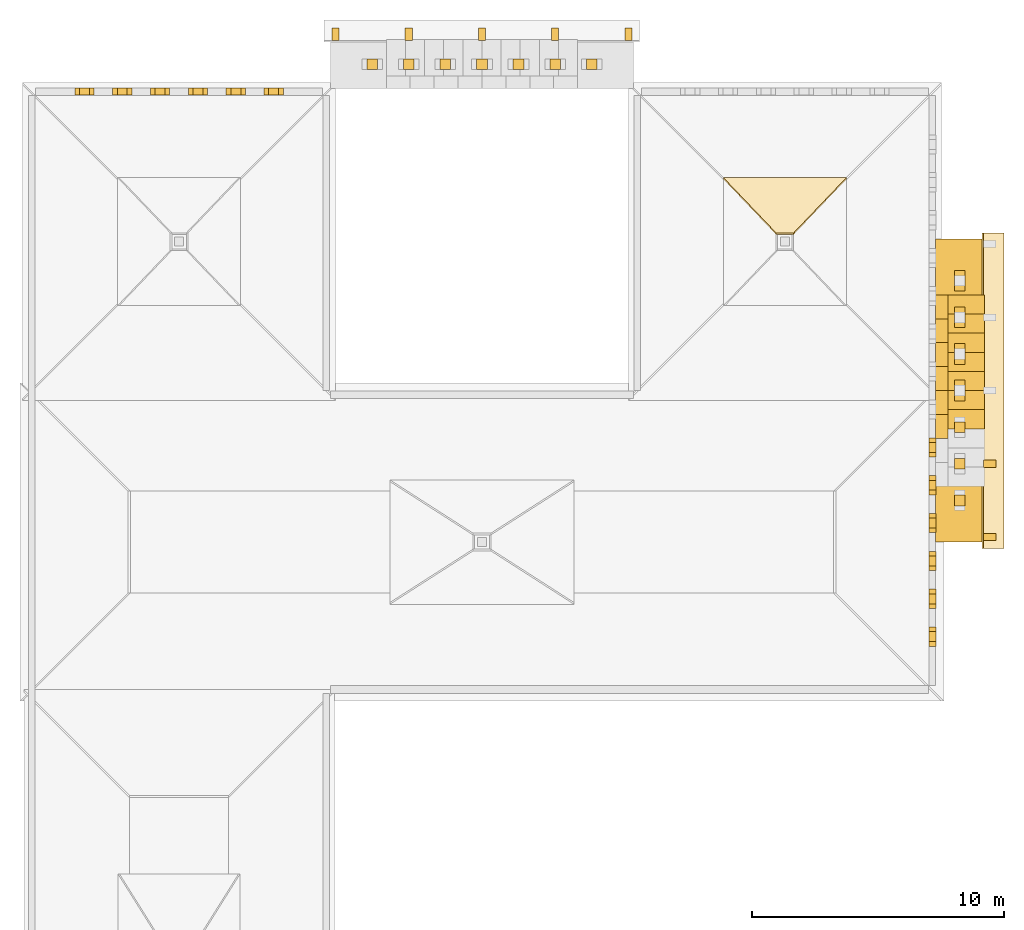
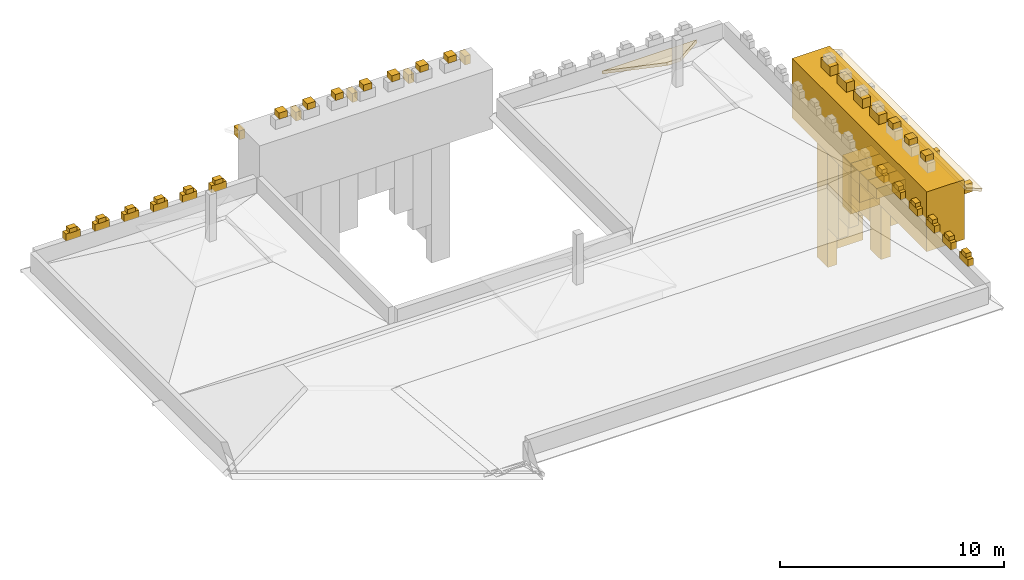
# One storey, part 3 of 4: 61 coverings.
"""IFC4 building model written with IfcOpenShell, lengths in metres."""

from ifc_helpers import new_model, si_unit, direction, frame, origin, place, context, subcontext, project, spatial, polyline, outline, extrude, material, layer, layer_set, type_object, element, save


model = new_model("IFC4")

# Units and contexts
model_context = context("Model", 3, precision=1e-05, world=origin(), true_north=direction((0.0, 1.0)))
body_context = subcontext(model_context, "Body", "Model", "MODEL_VIEW")
ifc_project = project(units=[si_unit("LENGTHUNIT", "METRE"), si_unit("AREAUNIT", "SQUARE_METRE"), si_unit("VOLUMEUNIT", "CUBIC_METRE"), si_unit("PLANEANGLEUNIT", "RADIAN"), si_unit("MASSUNIT", "GRAM", prefix="KILO")], contexts=[model_context])

# Site, building, storey
site_placement = place(None, origin())
site = spatial("IfcSite", under=ifc_project, at=site_placement, CompositionType="ELEMENT")
building_placement = place(site_placement, origin())
building = spatial("IfcBuilding", under=site, at=building_placement, Name="Zlatogorsky Bluff Art Gallery", CompositionType="ELEMENT")
storey_placement = place(building_placement, frame((0.0, 0.0, 28.199951171875)))
storey = spatial("IfcBuildingStorey", under=building, at=storey_placement, Name="RF", CompositionType="ELEMENT", Elevation=28.199951171875)

# Coverings
ifc_material = material(Name="Honed Red Agra-Tone Quartzitic Sandstone", Category="masonry")
ifc_layer = layer(ifc_material, 0.1201171875)
ifc_layer_set = layer_set([ifc_layer], Name="Carved Sandstone Cladding CLD-02")
covering_type = type_object("IfcCoveringType", Name="Carved Sandstone Cladding CLD-02", PredefinedType="CLADDING", material=ifc_layer_set)
covering_1_placement = place(storey_placement, frame((0.0, 0.0, 1.760009765625)))
element("IfcCovering", 1, at=covering_1_placement, inside=storey, type_object=covering_type, Name="Chhajja carved stone corbel PISHTAQ-NE-NORTH-CHJ.1", PredefinedType="CLADDING", context=body_context, shape_type="SweptSolid", body=[
    extrude(outline(polyline([(132.06005859375, 109.860107421875), (132.340087890625, 109.860107421875), (132.340087890625, 110.360107421875), (132.06005859375, 110.360107421875), (132.06005859375, 109.860107421875)])), origin(), (0.0, 0.0, 1.0), 0.47998046875),
])
covering_2_placement = place(storey_placement, frame((0.0, 0.0, 1.760009765625)))
element("IfcCovering", 2, at=covering_2_placement, inside=storey, type_object=covering_type, Name="Chhajja carved stone corbel PISHTAQ-NE-NORTH-CHJ.2", PredefinedType="CLADDING", context=body_context, shape_type="SweptSolid", body=[
    extrude(outline(polyline([(134.9599609375, 109.860107421875), (135.239990234375, 109.860107421875), (135.239990234375, 110.360107421875), (134.9599609375, 110.360107421875), (134.9599609375, 109.860107421875)])), origin(), (0.0, 0.0, 1.0), 0.47998046875),
])
covering_3_placement = place(storey_placement, frame((0.0, 0.0, 1.760009765625)))
element("IfcCovering", 3, at=covering_3_placement, inside=storey, type_object=covering_type, Name="Chhajja carved stone corbel PISHTAQ-NE-NORTH-CHJ.3", PredefinedType="CLADDING", context=body_context, shape_type="SweptSolid", body=[
    extrude(outline(polyline([(137.860107421875, 109.860107421875), (138.139892578125, 109.860107421875), (138.139892578125, 110.360107421875), (137.860107421875, 110.360107421875), (137.860107421875, 109.860107421875)])), origin(), (0.0, 0.0, 1.0), 0.47998046875),
])
covering_4_placement = place(storey_placement, frame((0.0, 0.0, 1.760009765625)))
element("IfcCovering", 4, at=covering_4_placement, inside=storey, type_object=covering_type, Name="Chhajja carved stone corbel PISHTAQ-NE-NORTH-CHJ.4", PredefinedType="CLADDING", context=body_context, shape_type="SweptSolid", body=[
    extrude(outline(polyline([(140.760009765625, 109.860107421875), (141.0400390625, 109.860107421875), (141.0400390625, 110.360107421875), (140.760009765625, 110.360107421875), (140.760009765625, 109.860107421875)])), origin(), (0.0, 0.0, 1.0), 0.47998046875),
])
covering_5_placement = place(storey_placement, frame((0.0, 0.0, 1.760009765625)))
element("IfcCovering", 5, at=covering_5_placement, inside=storey, type_object=covering_type, Name="Chhajja carved stone corbel PISHTAQ-NE-NORTH-CHJ.5", PredefinedType="CLADDING", context=body_context, shape_type="SweptSolid", body=[
    extrude(outline(polyline([(143.659912109375, 109.860107421875), (143.93994140625, 109.860107421875), (143.93994140625, 110.360107421875), (143.659912109375, 110.360107421875), (143.659912109375, 109.860107421875)])), origin(), (0.0, 0.0, 1.0), 0.47998046875),
])
covering_6_placement = place(storey_placement, frame((0.0, 0.0, 3.083740234375)))
element("IfcCovering", 6, at=covering_6_placement, inside=storey, type_object=covering_type, Name="Kangura pointed merlon finial PISHTAQ-NE-NORTH.1", PredefinedType="CLADDING", context=body_context, shape_type="SweptSolid", body=[
    extrude(outline(polyline([(133.436767578125, 108.719970703125), (133.86328125, 108.719970703125), (133.86328125, 109.139892578125), (133.436767578125, 109.139892578125), (133.436767578125, 108.719970703125)])), origin(), (0.0, 0.0, 1.0), 0.33642578125),
])
covering_7_placement = place(storey_placement, frame((0.0, 0.0, 3.083740234375)))
element("IfcCovering", 7, at=covering_7_placement, inside=storey, type_object=covering_type, Name="Kangura pointed merlon finial PISHTAQ-NE-NORTH.2", PredefinedType="CLADDING", context=body_context, shape_type="SweptSolid", body=[
    extrude(outline(polyline([(134.88671875, 108.719970703125), (135.313232421875, 108.719970703125), (135.313232421875, 109.139892578125), (134.88671875, 109.139892578125), (134.88671875, 108.719970703125)])), origin(), (0.0, 0.0, 1.0), 0.33642578125),
])
covering_8_placement = place(storey_placement, frame((0.0, 0.0, 3.083740234375)))
element("IfcCovering", 8, at=covering_8_placement, inside=storey, type_object=covering_type, Name="Kangura pointed merlon finial PISHTAQ-NE-NORTH.3", PredefinedType="CLADDING", context=body_context, shape_type="SweptSolid", body=[
    extrude(outline(polyline([(136.3369140625, 108.719970703125), (136.76318359375, 108.719970703125), (136.76318359375, 109.139892578125), (136.3369140625, 109.139892578125), (136.3369140625, 108.719970703125)])), origin(), (0.0, 0.0, 1.0), 0.33642578125),
])
covering_9_placement = place(storey_placement, frame((0.0, 0.0, 3.083740234375)))
element("IfcCovering", 9, at=covering_9_placement, inside=storey, type_object=covering_type, Name="Kangura pointed merlon finial PISHTAQ-NE-NORTH.4", PredefinedType="CLADDING", context=body_context, shape_type="SweptSolid", body=[
    extrude(outline(polyline([(137.786865234375, 108.719970703125), (138.213134765625, 108.719970703125), (138.213134765625, 109.139892578125), (137.786865234375, 109.139892578125), (137.786865234375, 108.719970703125)])), origin(), (0.0, 0.0, 1.0), 0.33642578125),
])
covering_10_placement = place(storey_placement, frame((0.0, 0.0, 3.083740234375)))
element("IfcCovering", 10, at=covering_10_placement, inside=storey, type_object=covering_type, Name="Kangura pointed merlon finial PISHTAQ-NE-NORTH.5", PredefinedType="CLADDING", context=body_context, shape_type="SweptSolid", body=[
    extrude(outline(polyline([(139.23681640625, 108.719970703125), (139.6630859375, 108.719970703125), (139.6630859375, 109.139892578125), (139.23681640625, 109.139892578125), (139.23681640625, 108.719970703125)])), origin(), (0.0, 0.0, 1.0), 0.33642578125),
])
covering_11_placement = place(storey_placement, frame((0.0, 0.0, 3.083740234375)))
element("IfcCovering", 11, at=covering_11_placement, inside=storey, type_object=covering_type, Name="Kangura pointed merlon finial PISHTAQ-NE-NORTH.6", PredefinedType="CLADDING", context=body_context, shape_type="SweptSolid", body=[
    extrude(outline(polyline([(140.686767578125, 108.719970703125), (141.11328125, 108.719970703125), (141.11328125, 109.139892578125), (140.686767578125, 109.139892578125), (140.686767578125, 108.719970703125)])), origin(), (0.0, 0.0, 1.0), 0.33642578125),
])
covering_12_placement = place(storey_placement, frame((0.0, 0.0, 3.083740234375)))
element("IfcCovering", 12, at=covering_12_placement, inside=storey, type_object=covering_type, Name="Kangura pointed merlon finial PISHTAQ-NE-NORTH.7", PredefinedType="CLADDING", context=body_context, shape_type="SweptSolid", body=[
    extrude(outline(polyline([(142.13671875, 108.719970703125), (142.563232421875, 108.719970703125), (142.563232421875, 109.139892578125), (142.13671875, 109.139892578125), (142.13671875, 108.719970703125)])), origin(), (0.0, 0.0, 1.0), 0.33642578125),
])
covering_13_placement = place(storey_placement, frame((0.0, 0.0, -0.64990234375)))
element("IfcCovering", 13, at=covering_13_placement, inside=storey, type_object=covering_type, Name="Pishtaq portal crown entablature PISHTAQ-NE-EAST", PredefinedType="CLADDING", context=body_context, shape_type="SweptSolid", body=[
    extrude(outline(polyline([(155.9599609375, 90.0), (155.9599609375, 102.0), (157.89990234375, 102.0), (157.89990234375, 90.0), (155.9599609375, 90.0)])), origin(), (0.0, 0.0, 1.0), 3.25),
])
covering_14_placement = place(storey_placement, frame((0.0, 0.0, -2.228271484375)))
element("IfcCovering", 14, at=covering_14_placement, inside=storey, type_object=covering_type, Name="Pointed Mughal arch voussoir spandrel PISHTAQ-NE-EAST-ARCH.4", PredefinedType="CLADDING", context=body_context, shape_type="SweptSolid", body=[
    extrude(outline(polyline([(156.389892578125, 94.48388671875), (156.389892578125, 95.241943359375), (157.89990234375, 95.241943359375), (157.89990234375, 94.48388671875), (156.389892578125, 94.48388671875)])), origin(), (0.0, 0.0, 1.0), 1.67822265625),
])
covering_15_placement = place(storey_placement, frame((0.0, 0.0, -1.1201171875)))
element("IfcCovering", 15, at=covering_15_placement, inside=storey, type_object=covering_type, Name="Pointed Mughal arch voussoir spandrel PISHTAQ-NE-EAST-ARCH.5", PredefinedType="CLADDING", context=body_context, shape_type="SweptSolid", body=[
    extrude(outline(polyline([(156.389892578125, 95.241943359375), (156.389892578125, 96.0), (157.89990234375, 96.0), (157.89990234375, 95.241943359375), (156.389892578125, 95.241943359375)])), origin(), (0.0, 0.0, 1.0), 0.570068359375),
])
covering_16_placement = place(storey_placement, frame((0.0, 0.0, -1.1201171875)))
element("IfcCovering", 16, at=covering_16_placement, inside=storey, type_object=covering_type, Name="Pointed Mughal arch voussoir spandrel PISHTAQ-NE-EAST-ARCH.6", PredefinedType="CLADDING", context=body_context, shape_type="SweptSolid", body=[
    extrude(outline(polyline([(156.389892578125, 96.0), (156.389892578125, 96.758056640625), (157.89990234375, 96.758056640625), (157.89990234375, 96.0), (156.389892578125, 96.0)])), origin(), (0.0, 0.0, 1.0), 0.570068359375),
])
covering_17_placement = place(storey_placement, frame((0.0, 0.0, -2.228271484375)))
element("IfcCovering", 17, at=covering_17_placement, inside=storey, type_object=covering_type, Name="Pointed Mughal arch voussoir spandrel PISHTAQ-NE-EAST-ARCH.7", PredefinedType="CLADDING", context=body_context, shape_type="SweptSolid", body=[
    extrude(outline(polyline([(156.389892578125, 96.758056640625), (156.389892578125, 97.51611328125), (157.89990234375, 97.51611328125), (157.89990234375, 96.758056640625), (156.389892578125, 96.758056640625)])), origin(), (0.0, 0.0, 1.0), 1.67822265625),
])
covering_18_placement = place(storey_placement, frame((0.0, 0.0, -3.320068359375)))
element("IfcCovering", 18, at=covering_18_placement, inside=storey, type_object=covering_type, Name="Pointed Mughal arch voussoir spandrel PISHTAQ-NE-EAST-ARCH.8", PredefinedType="CLADDING", context=body_context, shape_type="SweptSolid", body=[
    extrude(outline(polyline([(156.389892578125, 97.51611328125), (156.389892578125, 98.27392578125), (157.89990234375, 98.27392578125), (157.89990234375, 97.51611328125), (156.389892578125, 97.51611328125)])), origin(), (0.0, 0.0, 1.0), 2.77001953125),
])
covering_19_placement = place(storey_placement, frame((0.0, 0.0, -4.174560546875)))
element("IfcCovering", 19, at=covering_19_placement, inside=storey, type_object=covering_type, Name="Pointed Mughal arch voussoir spandrel PISHTAQ-NE-EAST-ARCH.9", PredefinedType="CLADDING", context=body_context, shape_type="SweptSolid", body=[
    extrude(outline(polyline([(156.389892578125, 98.27392578125), (156.389892578125, 99.031982421875), (157.89990234375, 99.031982421875), (157.89990234375, 98.27392578125), (156.389892578125, 98.27392578125)])), origin(), (0.0, 0.0, 1.0), 3.62451171875),
])
covering_20_placement = place(storey_placement, frame((0.0, 0.0, -6.162353515625)))
element("IfcCovering", 20, at=covering_20_placement, inside=storey, type_object=covering_type, Name="Pointed Mughal arch voussoir spandrel PISHTAQ-NE-EAST-ARCH.10", PredefinedType="CLADDING", context=body_context, shape_type="SweptSolid", body=[
    extrude(outline(polyline([(156.389892578125, 99.031982421875), (156.389892578125, 99.7900390625), (157.89990234375, 99.7900390625), (157.89990234375, 99.031982421875), (156.389892578125, 99.031982421875)])), origin(), (0.0, 0.0, 1.0), 5.6123046875),
])
covering_21_placement = place(storey_placement, frame((0.0, 0.0, -3.5830078125)))
element("IfcCovering", 21, at=covering_21_placement, inside=storey, type_object=covering_type, Name="Pointed Mughal arch voussoir spandrel PISHTAQ-NE-EAST-IWAN.3", PredefinedType="CLADDING", context=body_context, shape_type="SweptSolid", body=[
    extrude(outline(polyline([(155.969970703125, 94.10498046875), (155.969970703125, 95.052490234375), (156.4599609375, 95.052490234375), (156.4599609375, 94.10498046875), (155.969970703125, 94.10498046875)])), origin(), (0.0, 0.0, 1.0), 3.032958984375),
])
covering_22_placement = place(storey_placement, frame((0.0, 0.0, -2.108642578125)))
element("IfcCovering", 22, at=covering_22_placement, inside=storey, type_object=covering_type, Name="Pointed Mughal arch voussoir spandrel PISHTAQ-NE-EAST-IWAN.4", PredefinedType="CLADDING", context=body_context, shape_type="SweptSolid", body=[
    extrude(outline(polyline([(155.969970703125, 95.052490234375), (155.969970703125, 96.0), (156.4599609375, 96.0), (156.4599609375, 95.052490234375), (155.969970703125, 95.052490234375)])), origin(), (0.0, 0.0, 1.0), 1.55859375),
])
covering_23_placement = place(storey_placement, frame((0.0, 0.0, -2.108642578125)))
element("IfcCovering", 23, at=covering_23_placement, inside=storey, type_object=covering_type, Name="Pointed Mughal arch voussoir spandrel PISHTAQ-NE-EAST-IWAN.5", PredefinedType="CLADDING", context=body_context, shape_type="SweptSolid", body=[
    extrude(outline(polyline([(155.969970703125, 96.0), (155.969970703125, 96.947509765625), (156.4599609375, 96.947509765625), (156.4599609375, 96.0), (155.969970703125, 96.0)])), origin(), (0.0, 0.0, 1.0), 1.55859375),
])
covering_24_placement = place(storey_placement, frame((0.0, 0.0, -3.5830078125)))
element("IfcCovering", 24, at=covering_24_placement, inside=storey, type_object=covering_type, Name="Pointed Mughal arch voussoir spandrel PISHTAQ-NE-EAST-IWAN.6", PredefinedType="CLADDING", context=body_context, shape_type="SweptSolid", body=[
    extrude(outline(polyline([(155.969970703125, 96.947509765625), (155.969970703125, 97.89501953125), (156.4599609375, 97.89501953125), (156.4599609375, 96.947509765625), (155.969970703125, 96.947509765625)])), origin(), (0.0, 0.0, 1.0), 3.032958984375),
])
covering_25_placement = place(storey_placement, frame((0.0, 0.0, -4.7548828125)))
element("IfcCovering", 25, at=covering_25_placement, inside=storey, type_object=covering_type, Name="Pointed Mughal arch voussoir spandrel PISHTAQ-NE-EAST-IWAN.7", PredefinedType="CLADDING", context=body_context, shape_type="SweptSolid", body=[
    extrude(outline(polyline([(155.969970703125, 97.89501953125), (155.969970703125, 98.842529296875), (156.4599609375, 98.842529296875), (156.4599609375, 97.89501953125), (155.969970703125, 97.89501953125)])), origin(), (0.0, 0.0, 1.0), 4.204833984375),
])
covering_26_placement = place(storey_placement, frame((0.0, 0.0, -6.88037109375)))
element("IfcCovering", 26, at=covering_26_placement, inside=storey, type_object=covering_type, Name="Pointed Mughal arch voussoir spandrel PISHTAQ-NE-EAST-IWAN.8", PredefinedType="CLADDING", context=body_context, shape_type="SweptSolid", body=[
    extrude(outline(polyline([(155.969970703125, 98.842529296875), (155.969970703125, 99.7900390625), (156.4599609375, 99.7900390625), (156.4599609375, 98.842529296875), (155.969970703125, 98.842529296875)])), origin(), (0.0, 0.0, 1.0), 6.330322265625),
])
covering_27_placement = place(storey_placement, frame((157.860107421875, 102.25, 2.320068359375), z_axis=(0.383169585951, 0.0, 0.923678011215), x_axis=(0.0, -1.0, 0.0)))
element("IfcCovering", 27, at=covering_27_placement, inside=storey, type_object=covering_type, Name="Projecting sloped Mughal chhajja stone eave PISHTAQ-NE-EAST-CHJ", PredefinedType="CLADDING", context=body_context, shape_type="SweptSolid", body=[
    extrude(outline(polyline([(0.0, 0.0), (12.5, 0.0), (12.5, 0.8875649401586398), (0.0, 0.8875649401586398), (0.0, 0.0)])), origin(), (0.0, 0.0, -1.0), 0.139892578125),
])
covering_28_placement = place(storey_placement, frame((0.0, 0.0, 1.760009765625)))
element("IfcCovering", 28, at=covering_28_placement, inside=storey, type_object=covering_type, Name="Chhajja carved stone corbel PISHTAQ-NE-EAST-CHJ.1", PredefinedType="CLADDING", context=body_context, shape_type="SweptSolid", body=[
    extrude(outline(polyline([(157.860107421875, 90.06005859375), (157.860107421875, 90.340087890625), (158.360107421875, 90.340087890625), (158.360107421875, 90.06005859375), (157.860107421875, 90.06005859375)])), origin(), (0.0, 0.0, 1.0), 0.47998046875),
])
covering_29_placement = place(storey_placement, frame((0.0, 0.0, 1.760009765625)))
element("IfcCovering", 29, at=covering_29_placement, inside=storey, type_object=covering_type, Name="Chhajja carved stone corbel PISHTAQ-NE-EAST-CHJ.2", PredefinedType="CLADDING", context=body_context, shape_type="SweptSolid", body=[
    extrude(outline(polyline([(157.860107421875, 92.9599609375), (157.860107421875, 93.239990234375), (158.360107421875, 93.239990234375), (158.360107421875, 92.9599609375), (157.860107421875, 92.9599609375)])), origin(), (0.0, 0.0, 1.0), 0.47998046875),
])
covering_30_placement = place(storey_placement, frame((0.0, 0.0, 3.083740234375)))
element("IfcCovering", 30, at=covering_30_placement, inside=storey, type_object=covering_type, Name="Kangura pointed merlon finial PISHTAQ-NE-EAST.1", PredefinedType="CLADDING", context=body_context, shape_type="SweptSolid", body=[
    extrude(outline(polyline([(156.719970703125, 91.436767578125), (156.719970703125, 91.86328125), (157.139892578125, 91.86328125), (157.139892578125, 91.436767578125), (156.719970703125, 91.436767578125)])), origin(), (0.0, 0.0, 1.0), 0.33642578125),
])
covering_31_placement = place(storey_placement, frame((0.0, 0.0, 3.083740234375)))
element("IfcCovering", 31, at=covering_31_placement, inside=storey, type_object=covering_type, Name="Kangura pointed merlon finial PISHTAQ-NE-EAST.2", PredefinedType="CLADDING", context=body_context, shape_type="SweptSolid", body=[
    extrude(outline(polyline([(156.719970703125, 92.88671875), (156.719970703125, 93.313232421875), (157.139892578125, 93.313232421875), (157.139892578125, 92.88671875), (156.719970703125, 92.88671875)])), origin(), (0.0, 0.0, 1.0), 0.33642578125),
])
covering_32_placement = place(storey_placement, frame((0.0, 0.0, 3.083740234375)))
element("IfcCovering", 32, at=covering_32_placement, inside=storey, type_object=covering_type, Name="Kangura pointed merlon finial PISHTAQ-NE-EAST.3", PredefinedType="CLADDING", context=body_context, shape_type="SweptSolid", body=[
    extrude(outline(polyline([(156.719970703125, 94.3369140625), (156.719970703125, 94.76318359375), (157.139892578125, 94.76318359375), (157.139892578125, 94.3369140625), (156.719970703125, 94.3369140625)])), origin(), (0.0, 0.0, 1.0), 0.33642578125),
])
covering_33_placement = place(storey_placement, frame((0.0, 0.0, 2.570068359375)))
element("IfcCovering", 33, at=covering_33_placement, inside=storey, type_object=covering_type, Name="Kangura stepped merlon base PISHTAQ-NE-EAST.4", PredefinedType="CLADDING", context=body_context, shape_type="SweptSolid", body=[
    extrude(outline(polyline([(156.719970703125, 95.590087890625), (156.719970703125, 96.409912109375), (157.139892578125, 96.409912109375), (157.139892578125, 95.590087890625), (156.719970703125, 95.590087890625)])), origin(), (0.0, 0.0, 1.0), 0.538330078125),
])
covering_34_placement = place(storey_placement, frame((0.0, 0.0, 2.570068359375)))
element("IfcCovering", 34, at=covering_34_placement, inside=storey, type_object=covering_type, Name="Kangura stepped merlon base PISHTAQ-NE-EAST.5", PredefinedType="CLADDING", context=body_context, shape_type="SweptSolid", body=[
    extrude(outline(polyline([(156.719970703125, 97.0400390625), (156.719970703125, 97.860107421875), (157.139892578125, 97.860107421875), (157.139892578125, 97.0400390625), (156.719970703125, 97.0400390625)])), origin(), (0.0, 0.0, 1.0), 0.538330078125),
])
covering_35_placement = place(storey_placement, frame((0.0, 0.0, 2.570068359375)))
element("IfcCovering", 35, at=covering_35_placement, inside=storey, type_object=covering_type, Name="Kangura stepped merlon base PISHTAQ-NE-EAST.6", PredefinedType="CLADDING", context=body_context, shape_type="SweptSolid", body=[
    extrude(outline(polyline([(156.719970703125, 98.489990234375), (156.719970703125, 99.31005859375), (157.139892578125, 99.31005859375), (157.139892578125, 98.489990234375), (156.719970703125, 98.489990234375)])), origin(), (0.0, 0.0, 1.0), 0.538330078125),
])
covering_36_placement = place(storey_placement, frame((0.0, 0.0, 2.570068359375)))
element("IfcCovering", 36, at=covering_36_placement, inside=storey, type_object=covering_type, Name="Kangura stepped merlon base PISHTAQ-NE-EAST.7", PredefinedType="CLADDING", context=body_context, shape_type="SweptSolid", body=[
    extrude(outline(polyline([(156.719970703125, 99.93994140625), (156.719970703125, 100.760009765625), (157.139892578125, 100.760009765625), (157.139892578125, 99.93994140625), (156.719970703125, 99.93994140625)])), origin(), (0.0, 0.0, 1.0), 0.538330078125),
])
covering_37_placement = place(storey_placement, frame((152.43408203125, 104.43408203125, 3.375), z_axis=(0.0, 0.433297582152, 0.901250911401), x_axis=(-1.0, 0.0, 0.0)))
element("IfcCovering", 37, at=covering_37_placement, inside=storey, type_object=covering_type, Name="Mughal chhatri pavilion cap RF-NE-CHHATRI-E.CN", PredefinedType="CLADDING", context=body_context, shape_type="SweptSolid", body=[
    extrude(outline(polyline([(0.0, 0.0), (4.8681640625, 0.0), (2.7841796875, 2.4233895396068315), (2.083984375, 2.4233895396068315), (0.0, 0.0)])), origin(), (0.0, 0.0, -1.0), 0.139892578125),
])
covering_38_placement = place(storey_placement, frame((0.0, 0.0, 1.1201171875)))
element("IfcCovering", 38, at=covering_38_placement, inside=storey, type_object=covering_type, Name="Kangura stepped merlon base PAR-RF-RF-01-2.1", PredefinedType="CLADDING", context=body_context, shape_type="SweptSolid", body=[
    extrude(outline(polyline([(121.8701171875, 107.699951171875), (122.6298828125, 107.699951171875), (122.6298828125, 107.97998046875), (121.8701171875, 107.97998046875), (121.8701171875, 107.699951171875)])), origin(), (0.0, 0.0, 1.0), 0.3896484375),
])
covering_39_placement = place(storey_placement, frame((0.0, 0.0, 1.4921875)))
element("IfcCovering", 39, at=covering_39_placement, inside=storey, type_object=covering_type, Name="Kangura pointed merlon finial PAR-RF-RF-01-2.1", PredefinedType="CLADDING", context=body_context, shape_type="SweptSolid", body=[
    extrude(outline(polyline([(122.052490234375, 107.699951171875), (122.447509765625, 107.699951171875), (122.447509765625, 107.97998046875), (122.052490234375, 107.97998046875), (122.052490234375, 107.699951171875)])), origin(), (0.0, 0.0, 1.0), 0.23779296875),
])
covering_40_placement = place(storey_placement, frame((0.0, 0.0, 1.1201171875)))
element("IfcCovering", 40, at=covering_40_placement, inside=storey, type_object=covering_type, Name="Kangura stepped merlon base PAR-RF-RF-01-2.2", PredefinedType="CLADDING", context=body_context, shape_type="SweptSolid", body=[
    extrude(outline(polyline([(123.3701171875, 107.699951171875), (124.1298828125, 107.699951171875), (124.1298828125, 107.97998046875), (123.3701171875, 107.97998046875), (123.3701171875, 107.699951171875)])), origin(), (0.0, 0.0, 1.0), 0.3896484375),
])
covering_41_placement = place(storey_placement, frame((0.0, 0.0, 1.4921875)))
element("IfcCovering", 41, at=covering_41_placement, inside=storey, type_object=covering_type, Name="Kangura pointed merlon finial PAR-RF-RF-01-2.2", PredefinedType="CLADDING", context=body_context, shape_type="SweptSolid", body=[
    extrude(outline(polyline([(123.552490234375, 107.699951171875), (123.947509765625, 107.699951171875), (123.947509765625, 107.97998046875), (123.552490234375, 107.97998046875), (123.552490234375, 107.699951171875)])), origin(), (0.0, 0.0, 1.0), 0.23779296875),
])
covering_42_placement = place(storey_placement, frame((0.0, 0.0, 1.1201171875)))
element("IfcCovering", 42, at=covering_42_placement, inside=storey, type_object=covering_type, Name="Kangura stepped merlon base PAR-RF-RF-01-2.3", PredefinedType="CLADDING", context=body_context, shape_type="SweptSolid", body=[
    extrude(outline(polyline([(124.8701171875, 107.699951171875), (125.6298828125, 107.699951171875), (125.6298828125, 107.97998046875), (124.8701171875, 107.97998046875), (124.8701171875, 107.699951171875)])), origin(), (0.0, 0.0, 1.0), 0.3896484375),
])
covering_43_placement = place(storey_placement, frame((0.0, 0.0, 1.4921875)))
element("IfcCovering", 43, at=covering_43_placement, inside=storey, type_object=covering_type, Name="Kangura pointed merlon finial PAR-RF-RF-01-2.3", PredefinedType="CLADDING", context=body_context, shape_type="SweptSolid", body=[
    extrude(outline(polyline([(125.052490234375, 107.699951171875), (125.447509765625, 107.699951171875), (125.447509765625, 107.97998046875), (125.052490234375, 107.97998046875), (125.052490234375, 107.699951171875)])), origin(), (0.0, 0.0, 1.0), 0.23779296875),
])
covering_44_placement = place(storey_placement, frame((0.0, 0.0, 1.1201171875)))
element("IfcCovering", 44, at=covering_44_placement, inside=storey, type_object=covering_type, Name="Kangura stepped merlon base PAR-RF-RF-01-2.4", PredefinedType="CLADDING", context=body_context, shape_type="SweptSolid", body=[
    extrude(outline(polyline([(126.3701171875, 107.699951171875), (127.1298828125, 107.699951171875), (127.1298828125, 107.97998046875), (126.3701171875, 107.97998046875), (126.3701171875, 107.699951171875)])), origin(), (0.0, 0.0, 1.0), 0.3896484375),
])
covering_45_placement = place(storey_placement, frame((0.0, 0.0, 1.4921875)))
element("IfcCovering", 45, at=covering_45_placement, inside=storey, type_object=covering_type, Name="Kangura pointed merlon finial PAR-RF-RF-01-2.4", PredefinedType="CLADDING", context=body_context, shape_type="SweptSolid", body=[
    extrude(outline(polyline([(126.552490234375, 107.699951171875), (126.947509765625, 107.699951171875), (126.947509765625, 107.97998046875), (126.552490234375, 107.97998046875), (126.552490234375, 107.699951171875)])), origin(), (0.0, 0.0, 1.0), 0.23779296875),
])
covering_46_placement = place(storey_placement, frame((0.0, 0.0, 1.1201171875)))
element("IfcCovering", 46, at=covering_46_placement, inside=storey, type_object=covering_type, Name="Kangura stepped merlon base PAR-RF-RF-01-2.5", PredefinedType="CLADDING", context=body_context, shape_type="SweptSolid", body=[
    extrude(outline(polyline([(127.8701171875, 107.699951171875), (128.6298828125, 107.699951171875), (128.6298828125, 107.97998046875), (127.8701171875, 107.97998046875), (127.8701171875, 107.699951171875)])), origin(), (0.0, 0.0, 1.0), 0.3896484375),
])
covering_47_placement = place(storey_placement, frame((0.0, 0.0, 1.4921875)))
element("IfcCovering", 47, at=covering_47_placement, inside=storey, type_object=covering_type, Name="Kangura pointed merlon finial PAR-RF-RF-01-2.5", PredefinedType="CLADDING", context=body_context, shape_type="SweptSolid", body=[
    extrude(outline(polyline([(128.052490234375, 107.699951171875), (128.447509765625, 107.699951171875), (128.447509765625, 107.97998046875), (128.052490234375, 107.97998046875), (128.052490234375, 107.699951171875)])), origin(), (0.0, 0.0, 1.0), 0.23779296875),
])
covering_48_placement = place(storey_placement, frame((0.0, 0.0, 1.1201171875)))
element("IfcCovering", 48, at=covering_48_placement, inside=storey, type_object=covering_type, Name="Kangura stepped merlon base PAR-RF-RF-01-2.6", PredefinedType="CLADDING", context=body_context, shape_type="SweptSolid", body=[
    extrude(outline(polyline([(129.3701171875, 107.699951171875), (130.1298828125, 107.699951171875), (130.1298828125, 107.97998046875), (129.3701171875, 107.97998046875), (129.3701171875, 107.699951171875)])), origin(), (0.0, 0.0, 1.0), 0.3896484375),
])
covering_49_placement = place(storey_placement, frame((0.0, 0.0, 1.4921875)))
element("IfcCovering", 49, at=covering_49_placement, inside=storey, type_object=covering_type, Name="Kangura pointed merlon finial PAR-RF-RF-01-2.6", PredefinedType="CLADDING", context=body_context, shape_type="SweptSolid", body=[
    extrude(outline(polyline([(129.552490234375, 107.699951171875), (129.947509765625, 107.699951171875), (129.947509765625, 107.97998046875), (129.552490234375, 107.97998046875), (129.552490234375, 107.699951171875)])), origin(), (0.0, 0.0, 1.0), 0.23779296875),
])
covering_50_placement = place(storey_placement, frame((0.0, 0.0, 1.1201171875)))
element("IfcCovering", 50, at=covering_50_placement, inside=storey, type_object=covering_type, Name="Kangura stepped merlon base PAR-RF-RF-01-7.1", PredefinedType="CLADDING", context=body_context, shape_type="SweptSolid", body=[
    extrude(outline(polyline([(155.699951171875, 85.8701171875), (155.699951171875, 86.6298828125), (155.97998046875, 86.6298828125), (155.97998046875, 85.8701171875), (155.699951171875, 85.8701171875)])), origin(), (0.0, 0.0, 1.0), 0.3896484375),
])
covering_51_placement = place(storey_placement, frame((0.0, 0.0, 1.4921875)))
element("IfcCovering", 51, at=covering_51_placement, inside=storey, type_object=covering_type, Name="Kangura pointed merlon finial PAR-RF-RF-01-7.1", PredefinedType="CLADDING", context=body_context, shape_type="SweptSolid", body=[
    extrude(outline(polyline([(155.699951171875, 86.052490234375), (155.699951171875, 86.447509765625), (155.97998046875, 86.447509765625), (155.97998046875, 86.052490234375), (155.699951171875, 86.052490234375)])), origin(), (0.0, 0.0, 1.0), 0.23779296875),
])
covering_52_placement = place(storey_placement, frame((0.0, 0.0, 1.1201171875)))
element("IfcCovering", 52, at=covering_52_placement, inside=storey, type_object=covering_type, Name="Kangura stepped merlon base PAR-RF-RF-01-7.2", PredefinedType="CLADDING", context=body_context, shape_type="SweptSolid", body=[
    extrude(outline(polyline([(155.699951171875, 87.3701171875), (155.699951171875, 88.1298828125), (155.97998046875, 88.1298828125), (155.97998046875, 87.3701171875), (155.699951171875, 87.3701171875)])), origin(), (0.0, 0.0, 1.0), 0.3896484375),
])
covering_53_placement = place(storey_placement, frame((0.0, 0.0, 1.4921875)))
element("IfcCovering", 53, at=covering_53_placement, inside=storey, type_object=covering_type, Name="Kangura pointed merlon finial PAR-RF-RF-01-7.2", PredefinedType="CLADDING", context=body_context, shape_type="SweptSolid", body=[
    extrude(outline(polyline([(155.699951171875, 87.552490234375), (155.699951171875, 87.947509765625), (155.97998046875, 87.947509765625), (155.97998046875, 87.552490234375), (155.699951171875, 87.552490234375)])), origin(), (0.0, 0.0, 1.0), 0.23779296875),
])
covering_54_placement = place(storey_placement, frame((0.0, 0.0, 1.1201171875)))
element("IfcCovering", 54, at=covering_54_placement, inside=storey, type_object=covering_type, Name="Kangura stepped merlon base PAR-RF-RF-01-7.3", PredefinedType="CLADDING", context=body_context, shape_type="SweptSolid", body=[
    extrude(outline(polyline([(155.699951171875, 88.8701171875), (155.699951171875, 89.6298828125), (155.97998046875, 89.6298828125), (155.97998046875, 88.8701171875), (155.699951171875, 88.8701171875)])), origin(), (0.0, 0.0, 1.0), 0.3896484375),
])
covering_55_placement = place(storey_placement, frame((0.0, 0.0, 1.4921875)))
element("IfcCovering", 55, at=covering_55_placement, inside=storey, type_object=covering_type, Name="Kangura pointed merlon finial PAR-RF-RF-01-7.3", PredefinedType="CLADDING", context=body_context, shape_type="SweptSolid", body=[
    extrude(outline(polyline([(155.699951171875, 89.052490234375), (155.699951171875, 89.447509765625), (155.97998046875, 89.447509765625), (155.97998046875, 89.052490234375), (155.699951171875, 89.052490234375)])), origin(), (0.0, 0.0, 1.0), 0.23779296875),
])
covering_56_placement = place(storey_placement, frame((0.0, 0.0, 1.1201171875)))
element("IfcCovering", 56, at=covering_56_placement, inside=storey, type_object=covering_type, Name="Kangura stepped merlon base PAR-RF-RF-01-7.4", PredefinedType="CLADDING", context=body_context, shape_type="SweptSolid", body=[
    extrude(outline(polyline([(155.699951171875, 90.3701171875), (155.699951171875, 91.1298828125), (155.97998046875, 91.1298828125), (155.97998046875, 90.3701171875), (155.699951171875, 90.3701171875)])), origin(), (0.0, 0.0, 1.0), 0.3896484375),
])
covering_57_placement = place(storey_placement, frame((0.0, 0.0, 1.4921875)))
element("IfcCovering", 57, at=covering_57_placement, inside=storey, type_object=covering_type, Name="Kangura pointed merlon finial PAR-RF-RF-01-7.4", PredefinedType="CLADDING", context=body_context, shape_type="SweptSolid", body=[
    extrude(outline(polyline([(155.699951171875, 90.552490234375), (155.699951171875, 90.947509765625), (155.97998046875, 90.947509765625), (155.97998046875, 90.552490234375), (155.699951171875, 90.552490234375)])), origin(), (0.0, 0.0, 1.0), 0.23779296875),
])
covering_58_placement = place(storey_placement, frame((0.0, 0.0, 1.1201171875)))
element("IfcCovering", 58, at=covering_58_placement, inside=storey, type_object=covering_type, Name="Kangura stepped merlon base PAR-RF-RF-01-7.5", PredefinedType="CLADDING", context=body_context, shape_type="SweptSolid", body=[
    extrude(outline(polyline([(155.699951171875, 91.8701171875), (155.699951171875, 92.6298828125), (155.97998046875, 92.6298828125), (155.97998046875, 91.8701171875), (155.699951171875, 91.8701171875)])), origin(), (0.0, 0.0, 1.0), 0.3896484375),
])
covering_59_placement = place(storey_placement, frame((0.0, 0.0, 1.4921875)))
element("IfcCovering", 59, at=covering_59_placement, inside=storey, type_object=covering_type, Name="Kangura pointed merlon finial PAR-RF-RF-01-7.5", PredefinedType="CLADDING", context=body_context, shape_type="SweptSolid", body=[
    extrude(outline(polyline([(155.699951171875, 92.052490234375), (155.699951171875, 92.447509765625), (155.97998046875, 92.447509765625), (155.97998046875, 92.052490234375), (155.699951171875, 92.052490234375)])), origin(), (0.0, 0.0, 1.0), 0.23779296875),
])
covering_60_placement = place(storey_placement, frame((0.0, 0.0, 1.1201171875)))
element("IfcCovering", 60, at=covering_60_placement, inside=storey, type_object=covering_type, Name="Kangura stepped merlon base PAR-RF-RF-01-7.6", PredefinedType="CLADDING", context=body_context, shape_type="SweptSolid", body=[
    extrude(outline(polyline([(155.699951171875, 93.3701171875), (155.699951171875, 94.1298828125), (155.97998046875, 94.1298828125), (155.97998046875, 93.3701171875), (155.699951171875, 93.3701171875)])), origin(), (0.0, 0.0, 1.0), 0.3896484375),
])
covering_61_placement = place(storey_placement, frame((0.0, 0.0, 1.4921875)))
element("IfcCovering", 61, at=covering_61_placement, inside=storey, type_object=covering_type, Name="Kangura pointed merlon finial PAR-RF-RF-01-7.6", PredefinedType="CLADDING", context=body_context, shape_type="SweptSolid", body=[
    extrude(outline(polyline([(155.699951171875, 93.552490234375), (155.699951171875, 93.947509765625), (155.97998046875, 93.947509765625), (155.97998046875, 93.552490234375), (155.699951171875, 93.552490234375)])), origin(), (0.0, 0.0, 1.0), 0.23779296875),
])

save(model, "model.ifc")
